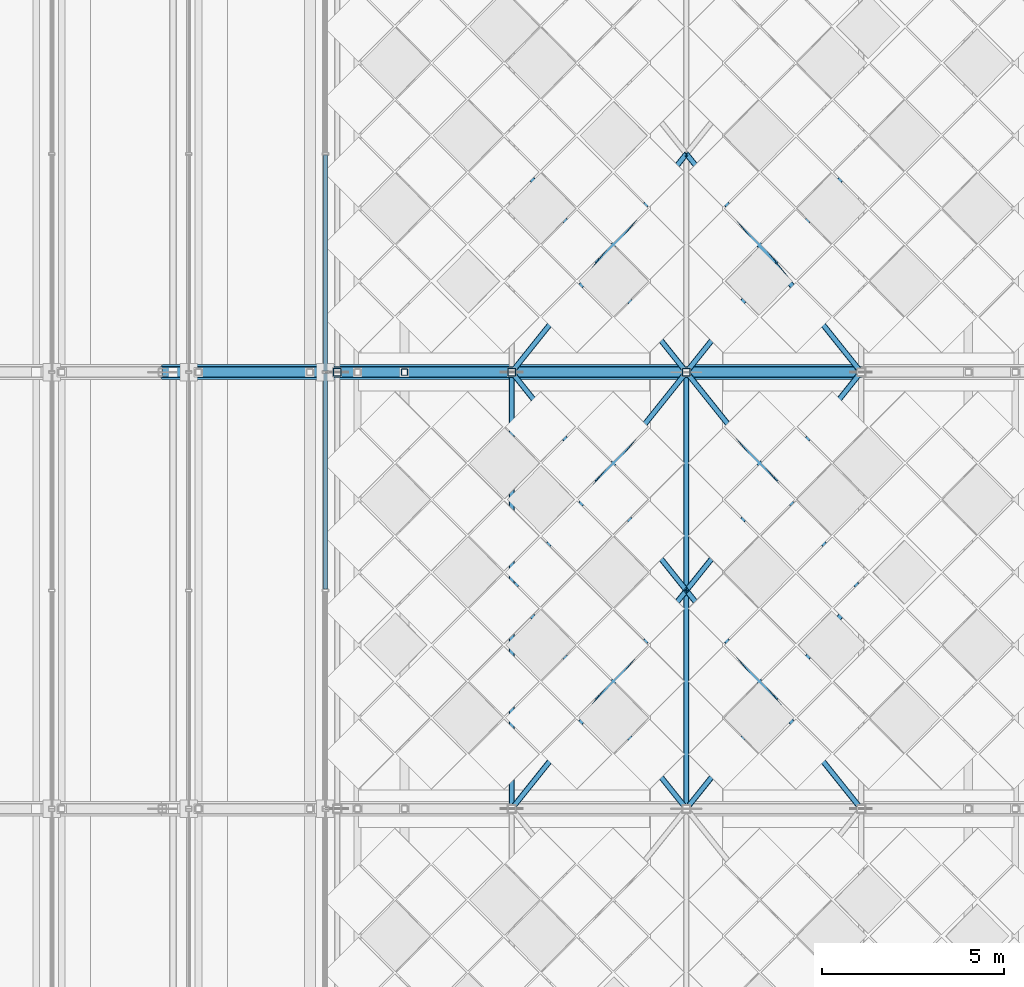
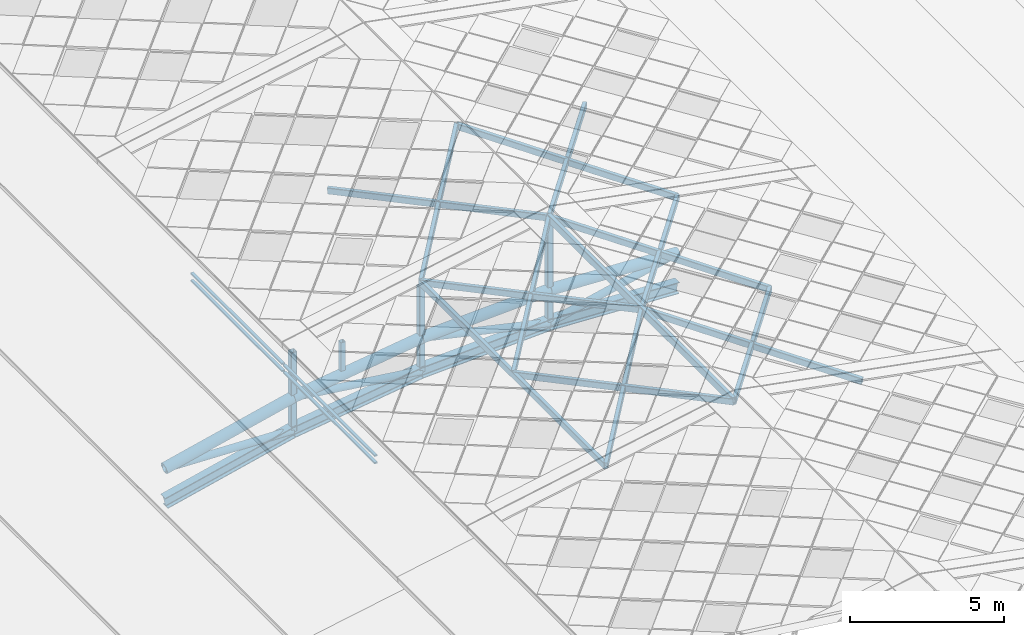
# One storey, part 23 of 117: 34 members, 1 element without a shape of its own.
"""IFC4 building model written with IfcOpenShell, lengths in metres."""

import ifcopenshell
import ifcopenshell.guid

model = None  # the IFC model being written
_history = None  # IfcOwnerHistory: only IFC2X3 demands one
_inside = {}  # id of a spatial element -> (the spatial element, [elements in it])
_under = {}  # id of a project, library or spatial element -> (it, [spatial elements below it])
_declared = {}  # id of a project -> (the project, [libraries it declares])
_typed = {}  # id of a type object -> (the type object, [elements of that type])
_made_of = {}  # id of a material, layer set ... -> (it, [elements and type objects made of it])


def new_model(schema):
    """Start an empty IFC model of exactly this schema.

    Asked for "IFC4X3", IfcOpenShell would pick the latest addendum, in which some entities
    have other attributes; the version numbers below select the first issue.
    IFC2X3 requires an IfcOwnerHistory on every rooted entity: one is made here for all.
    """
    global model, _history
    if schema == "IFC4X3":
        model = ifcopenshell.file(schema_version=(4, 3, 0, 0))
    else:
        model = ifcopenshell.file(schema=schema)
    _inside.clear()
    _under.clear()
    _declared.clear()
    _typed.clear()
    _made_of.clear()
    _history = None
    if model.schema == "IFC2X3":
        org = make("IfcOrganization", Name="unknown")
        user = make(
            "IfcPersonAndOrganization",
            ThePerson=make("IfcPerson", FamilyName="unknown"),
            TheOrganization=org,
        )
        app = make(
            "IfcApplication",
            ApplicationDeveloper=org,
            Version="unknown",
            ApplicationFullName="unknown",
            ApplicationIdentifier="unknown",
        )
        _history = make(
            "IfcOwnerHistory",
            OwningUser=user,
            OwningApplication=app,
            ChangeAction="ADDED",
            CreationDate=0,
        )
    return model


def make(cls, **values):
    """One entity of the class cls with the attributes given. An attribute that is None is left unset."""
    return model.create_entity(
        cls, **{name: value for name, value in values.items() if value is not None}
    )


def rooted(cls, **values):
    """An entity with a GlobalId (a new one), such as an element, a storey or a relation."""
    return make(cls, GlobalId=ifcopenshell.guid.new(), OwnerHistory=_history, **values)


def si_unit(unit_type, name, prefix=None):
    """IfcSIUnit, for example si_unit("LENGTHUNIT", "METRE", prefix="MILLI")."""
    return make("IfcSIUnit", UnitType=unit_type, Prefix=prefix, Name=name)


def assignment(units):
    """IfcUnitAssignment: the units of a project."""
    return None if units is None else make("IfcUnitAssignment", Units=units)


def point(xyz):
    """IfcCartesianPoint."""
    return None if xyz is None else make("IfcCartesianPoint", Coordinates=xyz)


def direction(xyz):
    """IfcDirection."""
    return None if xyz is None else make("IfcDirection", DirectionRatios=xyz)


def frame(location, z_axis=None, x_axis=None):
    """IfcAxis2Placement3D, a coordinate frame: its origin and axes. An axis left out is left unset."""
    return make(
        "IfcAxis2Placement3D",
        Location=point(location),
        Axis=direction(z_axis),
        RefDirection=direction(x_axis),
    )


def frame_2d(location, x_axis=None):
    """IfcAxis2Placement2D, a coordinate frame in the plane: its origin and x axis."""
    return make(
        "IfcAxis2Placement2D", Location=point(location), RefDirection=direction(x_axis)
    )


def origin():
    """The frame at (0, 0, 0) with its axes left unset."""
    return frame((0.0, 0.0, 0.0))


def origin_2d():
    """The frame at (0, 0) in the plane with its x axis left unset."""
    return frame_2d((0.0, 0.0))


def place(relative_to, where):
    """IfcLocalPlacement: puts the frame where relative to a parent placement (None: the world)."""
    return make(
        "IfcLocalPlacement", PlacementRelTo=relative_to, RelativePlacement=where
    )


def context(
    kind, dimensions, precision=None, world=None, true_north=None, identifier=None
):
    """IfcGeometricRepresentationContext, for example the 3D "Model" context."""
    return make(
        "IfcGeometricRepresentationContext",
        ContextIdentifier=identifier,
        ContextType=kind,
        CoordinateSpaceDimension=dimensions,
        Precision=precision,
        WorldCoordinateSystem=world,
        TrueNorth=true_north,
    )


def subcontext(parent, identifier, kind, view, scale=None):
    """IfcGeometricRepresentationSubContext, for example "Body" below "Model"."""
    return make(
        "IfcGeometricRepresentationSubContext",
        ContextIdentifier=identifier,
        ContextType=kind,
        ParentContext=parent,
        TargetScale=scale,
        TargetView=view,
    )


def project(units=None, contexts=None):
    """IfcProject with its units and contexts."""
    return rooted(
        "IfcProject",
        Name="project",
        RepresentationContexts=contexts,
        UnitsInContext=assignment(units),
    )


def spatial(cls, under=None, at=None, **own):
    """A site, building, storey or space (cls), placed at a placement, below another one or the project."""
    s = rooted(cls, ObjectPlacement=at, **own)
    if under is not None:
        _under.setdefault(under.id(), (under, []))[1].append(s)
    return s


def profile(cls, at=None, kind="AREA", **sizes):
    """A parametric profile (cls). Its sizes go by their IFC names, for example OverallWidth=200.0."""
    return make(cls, ProfileType=kind, Position=at, **sizes)


def hollow_rectangle(**sizes):
    """IfcRectangleHollowProfileDef."""
    return profile("IfcRectangleHollowProfileDef", **sizes)


def hollow_circle(**sizes):
    """IfcCircleHollowProfileDef."""
    return profile("IfcCircleHollowProfileDef", **sizes)


def i_section(**sizes):
    """IfcIShapeProfileDef."""
    return profile("IfcIShapeProfileDef", **sizes)


def extrude(swept, where, along, depth):
    """IfcExtrudedAreaSolid: the profile swept, set in the frame where, extruded along a direction by depth."""
    return make(
        "IfcExtrudedAreaSolid",
        SweptArea=swept,
        Position=where,
        ExtrudedDirection=direction(along),
        Depth=depth,
    )


def shape(context_of_items, identifier, shape_type, items):
    """IfcShapeRepresentation: the items that make up one representation, for example the "Body"."""
    return make(
        "IfcShapeRepresentation",
        ContextOfItems=context_of_items,
        RepresentationIdentifier=identifier,
        RepresentationType=shape_type,
        Items=items,
    )


def material(Name=None, Category=None):
    """IfcMaterial."""
    return make("IfcMaterial", Name=Name, Category=Category)


def material_profile(
    of_material, cross_section, Name=None, Category=None, Priority=None
):
    """IfcMaterialProfile: a cross section and its material."""
    return make(
        "IfcMaterialProfile",
        Name=Name,
        Material=of_material,
        Profile=cross_section,
        Priority=Priority,
        Category=Category,
    )


def profile_set(profiles, Name=None, composite=None):
    """IfcMaterialProfileSet."""
    return make(
        "IfcMaterialProfileSet",
        Name=Name,
        MaterialProfiles=profiles,
        CompositeProfile=composite,
    )


def made_of(thing, what):
    """Note that an element or type object is made of a material, layer set ...; save() writes the relation."""
    if what is not None:
        _made_of.setdefault(what.id(), (what, []))[1].append(thing)
    return thing


def type_object(cls, material=None, **own):
    """A type object (cls), such as IfcWallType, which elements share."""
    return made_of(rooted(cls, **own), material)


def element(
    cls,
    number,
    at=None,
    inside=None,
    cuts=None,
    type_object=None,
    material=None,
    context=None,
    identifier="Body",
    shape_type=None,
    held_by="IfcProductDefinitionShape",
    body=None,
    shapes=None,
    **own,
):
    """One element of the class cls, such as IfcWall. Its Tag is "e" and its number.

    at: its placement. inside: the storey or other place that contains it. cuts: it is an
    opening in that element (IfcRelVoidsElement). A single representation is given by context,
    identifier, shape_type and body (its items); several are given by shapes. held_by: the class
    of the entity that holds the representations. save() writes the other relations.
    """
    e = rooted(cls, Tag="e%d" % number, ObjectPlacement=at, **own)
    if body is not None:
        shapes = [shape(context, identifier, shape_type, body)]
    if shapes is not None:
        e.Representation = make(held_by, Representations=shapes)
    if inside is not None:
        _inside.setdefault(inside.id(), (inside, []))[1].append(e)
    if cuts is not None:
        rooted(
            "IfcRelVoidsElement", RelatingBuildingElement=cuts, RelatedOpeningElement=e
        )
    if type_object is not None:
        _typed.setdefault(type_object.id(), (type_object, []))[1].append(e)
    return made_of(e, material)


def aggregate(whole, parts):
    """IfcRelAggregates: a whole, such as a stair, and the parts it consists of."""
    return rooted("IfcRelAggregates", RelatingObject=whole, RelatedObjects=parts)


def save(model, path):
    """Write the relations noted so far, then the file.

    IfcRelAggregates (storeys below a building ...), IfcRelContainedInSpatialStructure (elements
    in a storey), IfcRelDefinesByType, IfcRelAssociatesMaterial and IfcRelDeclares: one each for
    every whole, place, type object, material and project.
    """
    for whole, parts in _under.values():
        aggregate(whole, parts)
    for where, things in _inside.values():
        rooted(
            "IfcRelContainedInSpatialStructure",
            RelatedElements=things,
            RelatingStructure=where,
        )
    for kind, things in _typed.values():
        rooted("IfcRelDefinesByType", RelatedObjects=things, RelatingType=kind)
    for what, things in _made_of.values():
        rooted("IfcRelAssociatesMaterial", RelatedObjects=things, RelatingMaterial=what)
    for by, libraries in _declared.values():
        rooted("IfcRelDeclares", RelatingContext=by, RelatedDefinitions=libraries)
    model.write(path)


model = new_model("IFC4")

# Units and contexts
model_context = context("Model", 3, precision=1e-05, world=origin(), true_north=direction((0.0, 1.0)))
body_context = subcontext(model_context, "Body", "Model", "MODEL_VIEW")
ifc_project = project(units=[si_unit("LENGTHUNIT", "METRE"), si_unit("AREAUNIT", "SQUARE_METRE"), si_unit("VOLUMEUNIT", "CUBIC_METRE"), si_unit("PLANEANGLEUNIT", "RADIAN"), si_unit("MASSUNIT", "GRAM", prefix="KILO")], contexts=[model_context])

# Site, building, storey
site_placement = place(None, origin())
site = spatial("IfcSite", under=ifc_project, at=site_placement, CompositionType="ELEMENT")
building_placement = place(site_placement, origin())
building = spatial("IfcBuilding", under=site, at=building_placement, Name="Merenkruunu Market Hall", CompositionType="ELEMENT")
storey_placement = place(building_placement, frame((0.0, 0.0, 22.800048828125)))
storey = spatial("IfcBuildingStorey", under=building, at=storey_placement, Name="RF", CompositionType="ELEMENT", Elevation=22.800048828125)

# Members
ifc_material_1 = material(Name="Steel S355ML", Category="steel")
ifc_material_profile_1 = material_profile(ifc_material_1, hollow_circle(Radius=0.203125, WallThickness=0.01611328125, at=origin_2d()), Name="CHS 406.4x16")
ifc_profile_set_1 = profile_set([ifc_material_profile_1], Name="Steel S355ML")
member_type_1 = type_object("IfcMemberType", Name="Arch Truss Chord TC02", PredefinedType="CHORD", material=ifc_profile_set_1)
member_1_placement = place(storey_placement, frame((14.39990234375, 75.60009765625, -3.47998046875), z_axis=(0.972941974064, 0.0, 0.231049594471), x_axis=(0.0, 1.0, 0.0)))
element("IfcMember", 1, at=member_1_placement, inside=storey, type_object=member_type_1, Name="TRUSS-AT-6-TOP-04", PredefinedType="CHORD", context=body_context, shape_type="SweptSolid", body=[
    extrude(hollow_circle(Radius=0.203125, WallThickness=0.01611328125, at=origin_2d()), origin(), (0.0, 0.0, 1.0), 4.93359375),
])
member_2_placement = place(storey_placement, frame((19.199951171875, 75.60009765625, -2.340087890625), z_axis=(0.990338564897, 0.0, 0.138670569613), x_axis=(0.0, 1.0, 0.0)))
element("IfcMember", 2, at=member_2_placement, inside=storey, type_object=member_type_1, Name="TRUSS-AT-6-TOP-05", PredefinedType="CHORD", context=body_context, shape_type="SweptSolid", body=[
    extrude(hollow_circle(Radius=0.203125, WallThickness=0.01611328125, at=origin_2d()), origin(), (0.0, 0.0, 1.0), 4.846923828125),
])
for number, where, z_axis, x_axis, name in (
    (3, (24.0, 75.60009765625, -1.66796875), (0.998932934692, 0.0, 0.046184326211), (0.0, 1.0, 0.0), "TRUSS-AT-6-TOP-06"),
    (4, (28.800048828125, 75.60009765625, -1.446044921875), (0.998932934692, 0.0, -0.046184326211), (0.0, 1.0, 0.0), "TRUSS-AT-6-TOP-07"),
):
    element("IfcMember", number, at=place(storey_placement, frame(where, z_axis=z_axis, x_axis=x_axis)), inside=storey, type_object=member_type_1, Name=name, PredefinedType="CHORD", context=body_context, shape_type="SweptSolid", body=[
        extrude(hollow_circle(Radius=0.203125, WallThickness=0.01611328125, at=origin_2d()), origin(), (0.0, 0.0, 1.0), 4.80517578125),
    ])
ifc_material_profile_2 = material_profile(ifc_material_1, i_section(OverallWidth=0.300048828125, OverallDepth=0.449951171875, WebThickness=0.013916015625, FlangeThickness=0.02587890625, FilletRadius=0.027099609375, at=origin_2d()), Name="HEB 450")
ifc_profile_set_2 = profile_set([ifc_material_profile_2], Name="Steel S355ML")
member_type_2 = type_object("IfcMemberType", Name="Arch Truss Chord TC04", PredefinedType="CHORD", material=ifc_profile_set_2)
member_3_placement = place(storey_placement, frame((14.39990234375, 75.60009765625, -4.780029296875), z_axis=(0.972941974064, 0.0, 0.231049594471), x_axis=(0.0, 1.0, 0.0)))
element("IfcMember", 5, at=member_3_placement, inside=storey, type_object=member_type_2, Name="TRUSS-AT-6-BOT-04", PredefinedType="CHORD", context=body_context, shape_type="SweptSolid", body=[
    extrude(i_section(OverallWidth=0.300048828125, OverallDepth=0.449951171875, WebThickness=0.013916015625, FlangeThickness=0.02587890625, FilletRadius=0.027099609375, at=origin_2d()), origin(), (0.0, 0.0, 1.0), 4.93359375),
])
member_4_placement = place(storey_placement, frame((19.199951171875, 75.60009765625, -3.64013671875), z_axis=(0.990338564897, 0.0, 0.138670569613), x_axis=(0.0, 1.0, 0.0)))
element("IfcMember", 6, at=member_4_placement, inside=storey, type_object=member_type_2, Name="TRUSS-AT-6-BOT-05", PredefinedType="CHORD", context=body_context, shape_type="SweptSolid", body=[
    extrude(i_section(OverallWidth=0.300048828125, OverallDepth=0.449951171875, WebThickness=0.013916015625, FlangeThickness=0.02587890625, FilletRadius=0.027099609375, at=origin_2d()), origin(), (0.0, 0.0, 1.0), 4.846923828125),
])
for number, where, z_axis, x_axis, name in (
    (7, (24.0, 75.60009765625, -2.968017578125), (0.998932934692, 0.0, 0.046184326211), (0.0, 1.0, 0.0), "TRUSS-AT-6-BOT-06"),
    (8, (28.800048828125, 75.60009765625, -2.74609375), (0.998932934692, 0.0, -0.046184326211), (0.0, 1.0, 0.0), "TRUSS-AT-6-BOT-07"),
):
    element("IfcMember", number, at=place(storey_placement, frame(where, z_axis=z_axis, x_axis=x_axis)), inside=storey, type_object=member_type_2, Name=name, PredefinedType="CHORD", context=body_context, shape_type="SweptSolid", body=[
        extrude(i_section(OverallWidth=0.300048828125, OverallDepth=0.449951171875, WebThickness=0.013916015625, FlangeThickness=0.02587890625, FilletRadius=0.027099609375, at=origin_2d()), origin(), (0.0, 0.0, 1.0), 4.80517578125),
    ])

# Curtain wall, members
ifc_material_2 = material(Name="Powder-coated aluminium", Category="aluminium")
curtain_wall_type = type_object("IfcCurtainWallType", Name="Clerestory Curtain Band CL05", PredefinedType="USERDEFINED", material=ifc_material_2)
curtain_wall_placement = place(storey_placement, origin())
curtain_wall = element("IfcCurtainWall", 9, at=curtain_wall_placement, inside=storey, type_object=curtain_wall_type, Name="CW-RF-CWM04-117", ObjectType="CLERESTORY_BAND", PredefinedType="USERDEFINED")
ifc_material_profile_3 = material_profile(ifc_material_2, hollow_rectangle(XDim=0.06005859375, YDim=0.110107421875, WallThickness=0.00390625, at=origin_2d()), Name="ALU 60x110x4")
ifc_profile_set_3 = profile_set([ifc_material_profile_3], Name="Powder-coated aluminium")
member_type_3 = type_object("IfcMemberType", Name="Curtain Wall Transom CWT03", PredefinedType="USERDEFINED", material=ifc_profile_set_3)
member_5_placement = place(storey_placement, frame((18.8798828125, 69.635009765625, -1.212158203125), z_axis=(0.0, 1.0, 0.0), x_axis=(0.0, 0.0, 1.0)))
member_5 = element("IfcMember", 10, at=member_5_placement, type_object=member_type_3, Name="CL05 transom 2.1", ObjectType="TRANSOM", PredefinedType="USERDEFINED", context=body_context, shape_type="SweptSolid", body=[
    extrude(hollow_rectangle(XDim=0.06005859375, YDim=0.110107421875, WallThickness=0.00390625, at=origin_2d()), origin(), (0.0, 0.0, 1.0), 5.929931640625),
])
member_6_placement = place(storey_placement, frame((18.8798828125, 69.635009765625, -0.924072265625), z_axis=(0.0, 1.0, 0.0), x_axis=(0.0, 0.0, 1.0)))
member_6 = element("IfcMember", 11, at=member_6_placement, type_object=member_type_3, Name="CL05 transom 2.2", ObjectType="TRANSOM", PredefinedType="USERDEFINED", context=body_context, shape_type="SweptSolid", body=[
    extrude(hollow_rectangle(XDim=0.06005859375, YDim=0.110107421875, WallThickness=0.00390625, at=origin_2d()), origin(), (0.0, 0.0, 1.0), 5.929931640625),
])
member_7_placement = place(storey_placement, frame((18.8798828125, 75.635009765625, -1.212158203125), z_axis=(0.0, 1.0, 0.0), x_axis=(0.0, 0.0, 1.0)))
member_7 = element("IfcMember", 12, at=member_7_placement, type_object=member_type_3, Name="CL05 transom 3.1", ObjectType="TRANSOM", PredefinedType="USERDEFINED", context=body_context, shape_type="SweptSolid", body=[
    extrude(hollow_rectangle(XDim=0.06005859375, YDim=0.110107421875, WallThickness=0.00390625, at=origin_2d()), origin(), (0.0, 0.0, 1.0), 5.929931640625),
])
member_8_placement = place(storey_placement, frame((18.8798828125, 75.635009765625, -0.924072265625), z_axis=(0.0, 1.0, 0.0), x_axis=(0.0, 0.0, 1.0)))
member_8 = element("IfcMember", 13, at=member_8_placement, type_object=member_type_3, Name="CL05 transom 3.2", ObjectType="TRANSOM", PredefinedType="USERDEFINED", context=body_context, shape_type="SweptSolid", body=[
    extrude(hollow_rectangle(XDim=0.06005859375, YDim=0.110107421875, WallThickness=0.00390625, at=origin_2d()), origin(), (0.0, 0.0, 1.0), 5.929931640625),
])
aggregate(curtain_wall, [member_5, member_6, member_7, member_8])

# Members
ifc_material_profile_4 = material_profile(ifc_material_1, hollow_circle(Radius=0.136474609375, WallThickness=0.012451171875, at=origin_2d()), Name="CHS 273x12.5")
ifc_profile_set_4 = profile_set([ifc_material_profile_4], Name="Steel S355ML")
member_type_4 = type_object("IfcMemberType", Name="Diagonal Sway Brace BR02", PredefinedType="BRACE", material=ifc_profile_set_4)
member_9_placement = place(storey_placement, frame((14.39990234375, 75.60009765625, -3.47998046875), z_axis=(0.999443834494, 0.0, -0.033346989239), x_axis=(0.0, 1.0, 0.0)))
element("IfcMember", 14, at=member_9_placement, inside=storey, type_object=member_type_4, Name="TRUSS-AT-6-DIAG-04", PredefinedType="BRACE", context=body_context, shape_type="SweptSolid", body=[
    extrude(hollow_circle(Radius=0.136474609375, WallThickness=0.012451171875, at=origin_2d()), origin(), (0.0, 0.0, 1.0), 4.802734375),
])
member_10_placement = place(storey_placement, frame((19.199951171875, 75.60009765625, -2.340087890625), z_axis=(0.991551689691, 0.0, -0.129712168551), x_axis=(0.0, 1.0, 0.0)))
element("IfcMember", 15, at=member_10_placement, inside=storey, type_object=member_type_4, Name="TRUSS-AT-6-DIAG-05", PredefinedType="BRACE", context=body_context, shape_type="SweptSolid", body=[
    extrude(hollow_circle(Radius=0.136474609375, WallThickness=0.012451171875, at=origin_2d()), origin(), (0.0, 0.0, 1.0), 4.841064453125),
])
for number, where, z_axis, x_axis, name in (
    (16, (24.0, 75.60009765625, -1.66796875), (0.975691787326, 0.0, -0.219147293262), (0.0, 1.0, 0.0), "TRUSS-AT-6-DIAG-06"),
    (17, (28.800048828125, 75.60009765625, -2.74609375), (0.975691787326, 0.0, 0.219147293262), (0.0, 1.0, 0.0), "TRUSS-AT-6-DIAG-07"),
):
    element("IfcMember", number, at=place(storey_placement, frame(where, z_axis=z_axis, x_axis=x_axis)), inside=storey, type_object=member_type_4, Name=name, PredefinedType="BRACE", context=body_context, shape_type="SweptSolid", body=[
        extrude(hollow_circle(Radius=0.136474609375, WallThickness=0.012451171875, at=origin_2d()), origin(), (0.0, 0.0, 1.0), 4.919677734375),
    ])
ifc_material_3 = material(Name="Steel S355J2", Category="steel")
ifc_material_profile_5 = material_profile(ifc_material_3, hollow_rectangle(XDim=0.219970703125, YDim=0.219970703125, WallThickness=0.012451171875, InnerFilletRadius=0.012451171875, OuterFilletRadius=0.02490234375, at=origin_2d()), Name="SHS 220x220x12.5")
ifc_profile_set_5 = profile_set([ifc_material_profile_5], Name="Steel S355J2")
member_type_5 = type_object("IfcMemberType", Name="Diagonal Sway Brace BR04", PredefinedType="BRACE", material=ifc_profile_set_5)
member_11_placement = place(storey_placement, frame((19.199951171875, 75.60009765625, -3.64013671875), z_axis=(0.0, 0.0, 1.0), x_axis=(1.0, 0.0, 0.0)))
element("IfcMember", 18, at=member_11_placement, inside=storey, type_object=member_type_5, Name="TRUSS-AT-6-POST-04", PredefinedType="BRACE", context=body_context, shape_type="SweptSolid", body=[
    extrude(hollow_rectangle(XDim=0.219970703125, YDim=0.219970703125, WallThickness=0.012451171875, InnerFilletRadius=0.012451171875, OuterFilletRadius=0.02490234375, at=origin_2d()), origin(), (0.0, 0.0, 1.0), 3.1416015625),
])
member_12_placement = place(storey_placement, frame((24.0, 75.60009765625, -2.968017578125), z_axis=(0.0, 0.0, 1.0), x_axis=(1.0, 0.0, 0.0)))
element("IfcMember", 19, at=member_12_placement, inside=storey, type_object=member_type_5, Name="TRUSS-AT-6-POST-05", PredefinedType="BRACE", context=body_context, shape_type="SweptSolid", body=[
    extrude(hollow_rectangle(XDim=0.219970703125, YDim=0.219970703125, WallThickness=0.012451171875, InnerFilletRadius=0.012451171875, OuterFilletRadius=0.02490234375, at=origin_2d()), origin(), (0.0, 0.0, 1.0), 3.3720703125),
])
member_13_placement = place(storey_placement, frame((28.800048828125, 75.60009765625, -2.74609375), z_axis=(0.0, 0.0, 1.0), x_axis=(1.0, 0.0, 0.0)))
element("IfcMember", 20, at=member_13_placement, inside=storey, type_object=member_type_5, Name="TRUSS-AT-6-POST-06", PredefinedType="BRACE", context=body_context, shape_type="SweptSolid", body=[
    extrude(hollow_rectangle(XDim=0.219970703125, YDim=0.219970703125, WallThickness=0.012451171875, InnerFilletRadius=0.012451171875, OuterFilletRadius=0.02490234375, at=origin_2d()), origin(), (0.0, 0.0, 1.0), 4.00244140625),
])
ifc_material_profile_6 = material_profile(ifc_material_3, hollow_rectangle(XDim=0.179931640625, YDim=0.179931640625, WallThickness=0.010009765625, InnerFilletRadius=0.010009765625, OuterFilletRadius=0.02001953125, at=origin_2d()), Name="SHS 180x180x10")
ifc_profile_set_6 = profile_set([ifc_material_profile_6], Name="Steel S355J2")
member_type_6 = type_object("IfcMemberType", Name="Diagonal Sway Brace BR05", PredefinedType="BRACE", material=ifc_profile_set_6)
member_14_placement = place(storey_placement, frame((21.050048828125, 75.60009765625, -1.889892578125), z_axis=(0.0, 0.0, 1.0), x_axis=(1.0, 0.0, 0.0)))
element("IfcMember", 21, at=member_14_placement, inside=storey, type_object=member_type_6, Name="TRUSS-AT-6-RISER-W6-2", PredefinedType="BRACE", context=body_context, shape_type="SweptSolid", body=[
    extrude(hollow_rectangle(XDim=0.179931640625, YDim=0.179931640625, WallThickness=0.010009765625, InnerFilletRadius=0.010009765625, OuterFilletRadius=0.02001953125, at=origin_2d()), origin(), (0.0, 0.0, 1.0), 1.12841796875),
])
ifc_material_profile_7 = material_profile(ifc_material_1, hollow_rectangle(XDim=0.14990234375, YDim=0.25, WallThickness=0.010009765625, InnerFilletRadius=0.010009765625, OuterFilletRadius=0.02001953125, at=origin_2d()), Name="RHS 250x150x10")
ifc_profile_set_7 = profile_set([ifc_material_profile_7], Name="Steel S355ML")
member_type_7 = type_object("IfcMemberType", Name="Roof Purlin Rafter PR04", PredefinedType="PURLIN", material=ifc_profile_set_7)
member_15_placement = place(storey_placement, frame((24.0, 63.60009765625, 0.546875), z_axis=(0.0, 1.0, 0.0), x_axis=(-1.0, 0.0, 0.0)))
element("IfcMember", 22, at=member_15_placement, inside=storey, type_object=member_type_7, Name="MEM-CROWN-MID-055", PredefinedType="PURLIN", context=body_context, shape_type="SweptSolid", body=[
    extrude(hollow_rectangle(XDim=0.14990234375, YDim=0.25, WallThickness=0.010009765625, InnerFilletRadius=0.010009765625, OuterFilletRadius=0.02001953125, at=origin_2d()), origin(), (0.0, 0.0, 1.0), 12.0),
])
for number, where, z_axis, x_axis, name in (
    (23, (24.0, 63.60009765625, 0.546875), (0.620665210201, 0.775823620665, 0.11345662812), (-0.780865709579, 0.624698922365, 0.0), "MEM-CROWN-DIAG-056"),
    (24, (28.800048828125, 63.60009765625, 1.42431640625), (-0.620665210201, 0.775823620665, -0.11345662812), (-0.780865709579, -0.624698922365, 0.0), "MEM-CROWN-DIAG-057"),
    (25, (24.0, 69.60009765625, 0.546875), (0.620665210201, 0.775823620665, 0.11345662812), (-0.780865709579, 0.624698922365, 0.0), "MEM-CROWN-DIAG-058"),
    (26, (28.800048828125, 69.60009765625, 1.42431640625), (-0.620665210201, 0.775823620665, -0.11345662812), (-0.780865709579, -0.624698922365, 0.0), "MEM-CROWN-DIAG-059"),
    (27, (33.60009765625, 63.60009765625, 0.546875), (-0.620665210201, 0.775823620665, 0.11345662812), (-0.780865709579, -0.624698922365, 0.0), "MEM-CROWN-DIAG-062"),
    (28, (28.800048828125, 63.60009765625, 1.42431640625), (0.620665210201, 0.775823620665, -0.11345662812), (-0.780865709579, 0.624698922365, 0.0), "MEM-CROWN-DIAG-063"),
    (29, (33.60009765625, 69.60009765625, 0.546875), (-0.620665210201, 0.775823620665, 0.11345662812), (-0.780865709579, -0.624698922365, 0.0), "MEM-CROWN-DIAG-064"),
    (30, (28.800048828125, 69.60009765625, 1.42431640625), (0.620665210201, 0.775823620665, -0.11345662812), (-0.780865709579, 0.624698922365, 0.0), "MEM-CROWN-DIAG-065"),
    (31, (24.0, 75.60009765625, 0.546875), (0.620665210201, 0.775823620665, 0.11345662812), (-0.780865709579, 0.624698922365, 0.0), "MEM-CROWN-DIAG-069"),
    (32, (28.800048828125, 75.60009765625, 1.42431640625), (-0.620665210201, 0.775823620665, -0.11345662812), (-0.780865709579, -0.624698922365, 0.0), "MEM-CROWN-DIAG-070"),
    (33, (33.60009765625, 75.60009765625, 0.546875), (-0.620665210201, 0.775823620665, 0.11345662812), (-0.780865709579, -0.624698922365, 0.0), "MEM-CROWN-DIAG-075"),
    (34, (28.800048828125, 75.60009765625, 1.42431640625), (0.620665210201, 0.775823620665, -0.11345662812), (-0.780865709579, 0.624698922365, 0.0), "MEM-CROWN-DIAG-076"),
):
    element("IfcMember", number, at=place(storey_placement, frame(where, z_axis=z_axis, x_axis=x_axis)), inside=storey, type_object=member_type_7, Name=name, PredefinedType="PURLIN", context=body_context, shape_type="SweptSolid", body=[
        extrude(hollow_rectangle(XDim=0.14990234375, YDim=0.25, WallThickness=0.010009765625, InnerFilletRadius=0.010009765625, OuterFilletRadius=0.02001953125, at=origin_2d()), origin(), (0.0, 0.0, 1.0), 7.733642578125),
    ])
ifc_material_profile_8 = material_profile(ifc_material_1, hollow_rectangle(XDim=0.14990234375, YDim=0.300048828125, WallThickness=0.012451171875, InnerFilletRadius=0.012451171875, OuterFilletRadius=0.02490234375, at=origin_2d()), Name="RHS 300x150x12.5")
ifc_profile_set_8 = profile_set([ifc_material_profile_8], Name="Steel S355ML")
member_type_8 = type_object("IfcMemberType", Name="Roof Purlin Rafter PR05", PredefinedType="PURLIN", material=ifc_profile_set_8)
member_16_placement = place(storey_placement, frame((28.800048828125, 63.60009765625, 1.42431640625), z_axis=(0.0, 1.0, 0.0), x_axis=(-1.0, 0.0, 0.0)))
element("IfcMember", 35, at=member_16_placement, inside=storey, type_object=member_type_8, Name="MEM-CROWN-RIDGE-053", PredefinedType="PURLIN", context=body_context, shape_type="SweptSolid", body=[
    extrude(hollow_rectangle(XDim=0.14990234375, YDim=0.300048828125, WallThickness=0.012451171875, InnerFilletRadius=0.012451171875, OuterFilletRadius=0.02490234375, at=origin_2d()), origin(), (0.0, 0.0, 1.0), 12.0),
])

save(model, "model.ifc")
